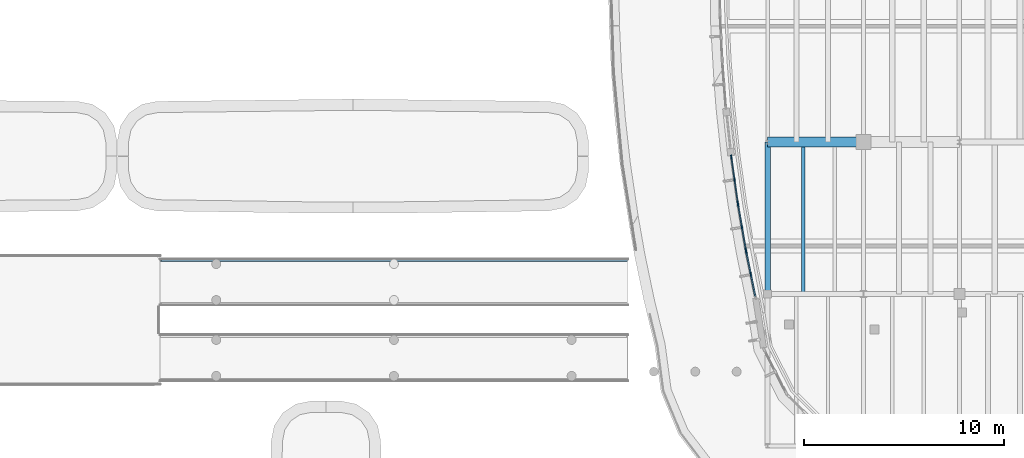
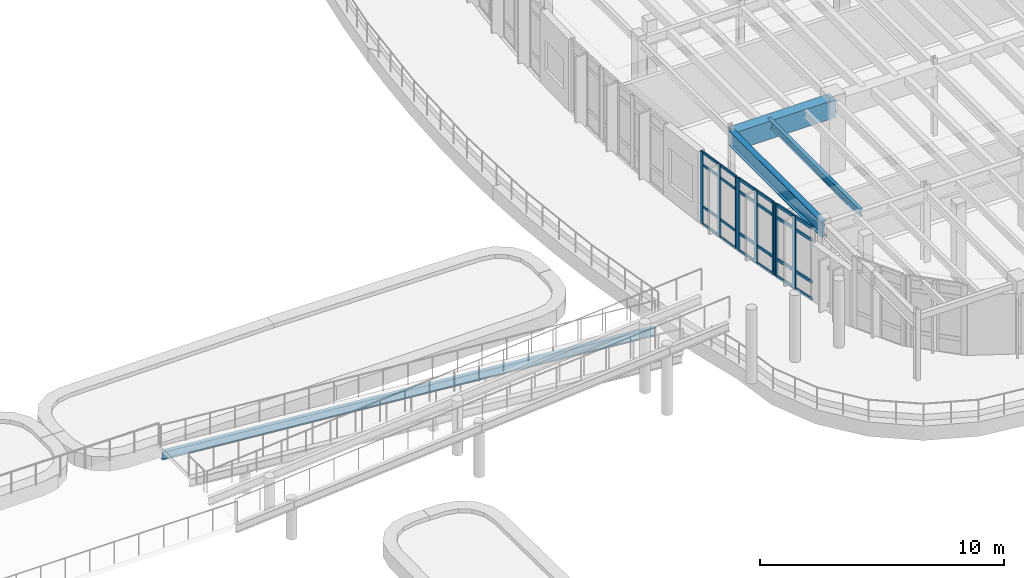
# One storey, part 45 of 111: 32 members, 4 beams, 3 elements without a shape of their own.
"""IFC4 building model written with IfcOpenShell, lengths in metres."""

from ifc_helpers import new_model, si_unit, direction, frame, origin, origin_2d, place, context, subcontext, project, spatial, rectangle, i_section, extrude, material, material_profile, profile_set, type_object, element, aggregate, save


model = new_model("IFC4")

# Units and contexts
model_context = context("Model", 3, precision=1e-05, world=origin(), true_north=direction((0.0, 1.0)))
body_context = subcontext(model_context, "Body", "Model", "MODEL_VIEW")
ifc_project = project(units=[si_unit("LENGTHUNIT", "METRE"), si_unit("AREAUNIT", "SQUARE_METRE"), si_unit("VOLUMEUNIT", "CUBIC_METRE"), si_unit("PLANEANGLEUNIT", "RADIAN"), si_unit("MASSUNIT", "GRAM", prefix="KILO")], contexts=[model_context])

# Site, building, storey
site_placement = place(None, origin())
site = spatial("IfcSite", under=ifc_project, at=site_placement, CompositionType="ELEMENT")
building_placement = place(site_placement, origin())
building = spatial("IfcBuilding", under=site, at=building_placement, Name="Corveleigh Park Community Centre", CompositionType="ELEMENT")
storey_placement = place(building_placement, frame((0.0, 0.0, 4.800048828125)))
storey = spatial("IfcBuildingStorey", under=building, at=storey_placement, Name="L01", CompositionType="ELEMENT", Elevation=4.800048828125)

# Beams
ifc_material_1 = material(Name="Concrete C40/50", Category="concrete")
ifc_material_profile_1 = material_profile(ifc_material_1, rectangle(XDim=0.5, YDim=0.89990234375, at=origin_2d()), Name="RC-500x900", Category="concrete")
ifc_profile_set_1 = profile_set([ifc_material_profile_1], Name="Concrete C40/50")
beam_type_1 = type_object("IfcBeamType", Name="BM-RC-500x900", PredefinedType="BEAM", material=ifc_profile_set_1)
beam_1_placement = place(storey_placement, frame((134.60498046875, 73.800048828125, 3.161865234375), z_axis=(1.0, 0.0, 0.0), x_axis=(0.0, 1.0, 0.0)))
element("IfcBeam", 1, at=beam_1_placement, inside=storey, type_object=beam_type_1, Name="V4 Girder X", PredefinedType="BEAM", context=body_context, shape_type="SweptSolid", body=[
    extrude(rectangle(XDim=0.5, YDim=0.89990234375, at=origin_2d()), origin(), (0.0, 0.0, 1.0), 4.7900390625),
])
ifc_material_2 = material(Name="Steel S355", Category="steel")
ifc_material_profile_2 = material_profile(ifc_material_2, i_section(OverallWidth=0.17138671875, OverallDepth=0.35498046875, WebThickness=0.00732421875, FlangeThickness=0.011474609375, at=origin_2d()), Name="UKB 356x171x51", Category="steel")
ifc_profile_set_2 = profile_set([ifc_material_profile_2], Name="Steel S355")
beam_type_2 = type_object("IfcBeamType", Name="BM-STL-UKB356x51", PredefinedType="JOIST", material=ifc_profile_set_2)
beam_2_placement = place(storey_placement, frame((136.3759765625, 66.205078125, 3.4345703125), z_axis=(0.0, 1.0, 0.0), x_axis=(-1.0, 0.0, 0.0)))
element("IfcBeam", 2, at=beam_2_placement, inside=storey, type_object=beam_type_2, Name="Secondary floor joist", PredefinedType="JOIST", context=body_context, shape_type="SweptSolid", body=[
    extrude(i_section(OverallWidth=0.17138671875, OverallDepth=0.35498046875, WebThickness=0.00732421875, FlangeThickness=0.011474609375, at=origin_2d()), origin(), (0.0, 0.0, 1.0), 7.58984375),
])
ifc_material_profile_3 = material_profile(ifc_material_2, i_section(OverallWidth=0.1787109375, OverallDepth=0.409423828125, WebThickness=0.0087890625, FlangeThickness=0.014404296875, at=origin_2d()), Name="UKB 406x178x67", Category="steel")
ifc_profile_set_3 = profile_set([ifc_material_profile_3], Name="Steel S355")
beam_type_3 = type_object("IfcBeamType", Name="BM-STL-UKB406x67", PredefinedType="BEAM", material=ifc_profile_set_3)
beam_3_placement = place(storey_placement, frame((127.56005859375, 67.919921875, -0.413330078125), z_axis=(-0.996545686293, 0.0, 0.083046343271), x_axis=(0.0, -1.0, 0.0)))
element("IfcBeam", 3, at=beam_3_placement, inside=storey, type_object=beam_type_3, Name="Courtyard West Roof Promenade Ramp Lower Stringer R", PredefinedType="BEAM", context=body_context, shape_type="SweptSolid", body=[
    extrude(i_section(OverallWidth=0.1787109375, OverallDepth=0.409423828125, WebThickness=0.0087890625, FlangeThickness=0.014404296875, at=origin_2d()), origin(), (0.0, 0.0, 1.0), 23.40087890625),
])
ifc_material_profile_4 = material_profile(ifc_material_2, i_section(OverallWidth=0.2666015625, OverallDepth=0.76220703125, WebThickness=0.014404296875, FlangeThickness=0.021484375, at=origin_2d()), Name="UKB 762x267x173", Category="steel")
ifc_profile_set_4 = profile_set([ifc_material_profile_4], Name="Steel S355")
beam_type_4 = type_object("IfcBeamType", Name="BM-STL-UKB762x173", PredefinedType="BEAM", material=ifc_profile_set_4)
beam_4_placement = place(storey_placement, frame((134.60009765625, 66.205078125, 3.255859375), z_axis=(0.0, 1.0, 0.0), x_axis=(-1.0, 0.0, 0.0)))
element("IfcBeam", 4, at=beam_4_placement, inside=storey, type_object=beam_type_4, Name="V4 Girder Y", PredefinedType="BEAM", context=body_context, shape_type="SweptSolid", body=[
    extrude(i_section(OverallWidth=0.2666015625, OverallDepth=0.76220703125, WebThickness=0.014404296875, FlangeThickness=0.021484375, at=origin_2d()), origin(), (0.0, 0.0, 1.0), 7.58984375),
])

# Curtain wall, members
ifc_material_3 = material(Name="Anodised aluminium 6063-T6", Category="aluminium")
curtain_wall_type = type_object("IfcCurtainWallType", Name="CW-SYS-V4-L01", PredefinedType="NOTDEFINED", material=ifc_material_3)
curtain_wall_1_placement = place(storey_placement, origin())
curtain_wall_1 = element("IfcCurtainWall", 5, at=curtain_wall_1_placement, inside=storey, type_object=curtain_wall_type, Name="V4 L01 Curtain Wall 296", PredefinedType="NOTDEFINED")
ifc_material_profile_5 = material_profile(ifc_material_3, rectangle(XDim=0.06494140625, YDim=0.179931640625, at=origin_2d()), Name="ALU-M65x180", Category="aluminium")
ifc_profile_set_5 = profile_set([ifc_material_profile_5], Name="Anodised aluminium 6063-T6")
member_type_1 = type_object("IfcMemberType", Name="CWM-65x180", PredefinedType="MULLION", material=ifc_profile_set_5)
member_1_placement = place(storey_placement, frame((133.10546875, 70.76611328125, 0.0), z_axis=(0.0, 0.0, 1.0), x_axis=(-0.990281834984, -0.139075113882, 0.0)))
member_1 = element("IfcMember", 6, at=member_1_placement, type_object=member_type_1, Name="CW08 mullion 1", PredefinedType="MULLION", context=body_context, shape_type="SweptSolid", body=[
    extrude(rectangle(XDim=0.06494140625, YDim=0.179931640625, at=origin_2d()), origin(), (0.0, 0.0, 1.0), 3.636962890625),
])
member_2_placement = place(storey_placement, frame((132.944091796875, 71.916015625, 0.0), z_axis=(0.0, 0.0, 1.0), x_axis=(-0.990281834984, -0.139075113882, 0.0)))
member_2 = element("IfcMember", 7, at=member_2_placement, type_object=member_type_1, Name="CW08 mullion 2", PredefinedType="MULLION", context=body_context, shape_type="SweptSolid", body=[
    extrude(rectangle(XDim=0.06494140625, YDim=0.179931640625, at=origin_2d()), origin(), (0.0, 0.0, 1.0), 3.636962890625),
])
member_3_placement = place(storey_placement, frame((132.782470703125, 73.06591796875, 0.0), z_axis=(0.0, 0.0, 1.0), x_axis=(-0.990281834984, -0.139075113882, 0.0)))
member_3 = element("IfcMember", 8, at=member_3_placement, type_object=member_type_1, Name="CW08 mullion 3", PredefinedType="MULLION", context=body_context, shape_type="SweptSolid", body=[
    extrude(rectangle(XDim=0.06494140625, YDim=0.179931640625, at=origin_2d()), origin(), (0.0, 0.0, 1.0), 3.636962890625),
])

curtain_wall_2_placement = place(storey_placement, origin())
curtain_wall_2 = element("IfcCurtainWall", 9, at=curtain_wall_2_placement, inside=storey, type_object=curtain_wall_type, Name="V4 L01 Curtain Wall 297", PredefinedType="NOTDEFINED")
ifc_material_profile_6 = material_profile(ifc_material_3, rectangle(XDim=0.070068359375, YDim=0.199951171875, at=origin_2d()), Name="ALU-M70x200", Category="aluminium")
ifc_profile_set_6 = profile_set([ifc_material_profile_6], Name="Anodised aluminium 6063-T6")
member_type_2 = type_object("IfcMemberType", Name="CWM-70x200", PredefinedType="MULLION", material=ifc_profile_set_6)
member_4_placement = place(storey_placement, frame((133.510986328125, 68.3994140625, 0.0), z_axis=(0.0, 0.0, 1.0), x_axis=(-0.985554357724, -0.16935940473, 0.0)))
member_4 = element("IfcMember", 10, at=member_4_placement, type_object=member_type_2, Name="CW08 mullion 1", PredefinedType="MULLION", context=body_context, shape_type="SweptSolid", body=[
    extrude(rectangle(XDim=0.070068359375, YDim=0.199951171875, at=origin_2d()), origin(), (0.0, 0.0, 1.0), 3.636962890625),
])
member_5_placement = place(storey_placement, frame((133.31494140625, 69.54052734375, 0.0), z_axis=(0.0, 0.0, 1.0), x_axis=(-0.985554357724, -0.16935940473, 0.0)))
member_5 = element("IfcMember", 11, at=member_5_placement, type_object=member_type_2, Name="CW08 mullion 2", PredefinedType="MULLION", context=body_context, shape_type="SweptSolid", body=[
    extrude(rectangle(XDim=0.070068359375, YDim=0.199951171875, at=origin_2d()), origin(), (0.0, 0.0, 1.0), 3.636962890625),
])
member_6_placement = place(storey_placement, frame((133.118896484375, 70.681396484375, 0.0), z_axis=(0.0, 0.0, 1.0), x_axis=(-0.985554357724, -0.16935940473, 0.0)))
member_6 = element("IfcMember", 12, at=member_6_placement, type_object=member_type_2, Name="CW08 mullion 3", PredefinedType="MULLION", context=body_context, shape_type="SweptSolid", body=[
    extrude(rectangle(XDim=0.070068359375, YDim=0.199951171875, at=origin_2d()), origin(), (0.0, 0.0, 1.0), 3.636962890625),
])

curtain_wall_3_placement = place(storey_placement, origin())
curtain_wall_3 = element("IfcCurtainWall", 13, at=curtain_wall_3_placement, inside=storey, type_object=curtain_wall_type, Name="V4 L01 Curtain Wall 298", PredefinedType="NOTDEFINED")
ifc_material_profile_7 = material_profile(ifc_material_3, rectangle(XDim=0.074951171875, YDim=0.219970703125, at=origin_2d()), Name="ALU-M75x220", Category="aluminium")
ifc_profile_set_7 = profile_set([ifc_material_profile_7], Name="Anodised aluminium 6063-T6")
member_type_3 = type_object("IfcMemberType", Name="CWM-75x220", PredefinedType="MULLION", material=ifc_profile_set_7)
member_7_placement = place(storey_placement, frame((133.759521484375, 67.178466796875, 0.0), z_axis=(0.0, 0.0, 1.0), x_axis=(-0.979799029422, -0.19998465427, 0.0)))
member_7 = element("IfcMember", 14, at=member_7_placement, type_object=member_type_3, Name="CW08 mullion 2", PredefinedType="MULLION", context=body_context, shape_type="SweptSolid", body=[
    extrude(rectangle(XDim=0.074951171875, YDim=0.219970703125, at=origin_2d()), origin(), (0.0, 0.0, 1.0), 3.636962890625),
])
member_8_placement = place(storey_placement, frame((133.528564453125, 68.310302734375, 0.0), z_axis=(0.0, 0.0, 1.0), x_axis=(-0.979799029422, -0.19998465427, 0.0)))
member_8 = element("IfcMember", 15, at=member_8_placement, type_object=member_type_3, Name="CW08 mullion 3", PredefinedType="MULLION", context=body_context, shape_type="SweptSolid", body=[
    extrude(rectangle(XDim=0.074951171875, YDim=0.219970703125, at=origin_2d()), origin(), (0.0, 0.0, 1.0), 3.636962890625),
])

# Member
ifc_material_profile_8 = material_profile(ifc_material_3, rectangle(XDim=0.06005859375, YDim=0.1201171875, at=origin_2d()), Name="ALU-T60x120", Category="aluminium")
ifc_profile_set_8 = profile_set([ifc_material_profile_8], Name="Anodised aluminium 6063-T6")
member_type_4 = type_object("IfcMemberType", Name="CWT-60x120", PredefinedType="USERDEFINED", material=ifc_profile_set_8)
member_9_placement = place(storey_placement, frame((133.10107421875, 70.79833984375, 0.030029296875), z_axis=(-0.13920705359, 0.990263296417, 0.0), x_axis=(-0.990263296417, -0.13920705359, 0.0)))
member_9 = element("IfcMember", 16, at=member_9_placement, type_object=member_type_4, Name="CW08 transom 1.1", ObjectType="TRANSOM", PredefinedType="USERDEFINED", context=body_context, shape_type="SweptSolid", body=[
    extrude(rectangle(XDim=0.06005859375, YDim=0.1201171875, at=origin_2d()), origin(), (0.0, 0.0, 1.0), 1.09619140625),
])

member_10_placement = place(storey_placement, frame((133.10107421875, 70.79833984375, 0.89990234375), z_axis=(-0.13920705359, 0.990263296417, 0.0), x_axis=(-0.990263296417, -0.13920705359, 0.0)))
member_10 = element("IfcMember", 17, at=member_10_placement, type_object=member_type_4, Name="CW08 transom 1.2", ObjectType="TRANSOM", PredefinedType="USERDEFINED", context=body_context, shape_type="SweptSolid", body=[
    extrude(rectangle(XDim=0.06005859375, YDim=0.1201171875, at=origin_2d()), origin(), (0.0, 0.0, 1.0), 1.09619140625),
])

member_11_placement = place(storey_placement, frame((133.10107421875, 70.79833984375, 2.987060546875), z_axis=(-0.13920705359, 0.990263296417, 0.0), x_axis=(-0.990263296417, -0.13920705359, 0.0)))
member_11 = element("IfcMember", 18, at=member_11_placement, type_object=member_type_4, Name="CW08 transom 1.3", ObjectType="TRANSOM", PredefinedType="USERDEFINED", context=body_context, shape_type="SweptSolid", body=[
    extrude(rectangle(XDim=0.06005859375, YDim=0.1201171875, at=origin_2d()), origin(), (0.0, 0.0, 1.0), 1.09619140625),
])

member_12_placement = place(storey_placement, frame((133.10107421875, 70.79833984375, 3.60693359375), z_axis=(-0.13920705359, 0.990263296417, 0.0), x_axis=(-0.990263296417, -0.13920705359, 0.0)))
member_12 = element("IfcMember", 19, at=member_12_placement, type_object=member_type_4, Name="CW08 transom 1.4", ObjectType="TRANSOM", PredefinedType="USERDEFINED", context=body_context, shape_type="SweptSolid", body=[
    extrude(rectangle(XDim=0.06005859375, YDim=0.1201171875, at=origin_2d()), origin(), (0.0, 0.0, 1.0), 1.09619140625),
])

member_13_placement = place(storey_placement, frame((132.939453125, 71.9482421875, 0.030029296875), z_axis=(-0.138988628372, 0.990293977152, 0.0), x_axis=(-0.990293977152, -0.138988628372, 0.0)))
member_13 = element("IfcMember", 20, at=member_13_placement, type_object=member_type_4, Name="CW08 transom 2.1", ObjectType="TRANSOM", PredefinedType="USERDEFINED", context=body_context, shape_type="SweptSolid", body=[
    extrude(rectangle(XDim=0.06005859375, YDim=0.1201171875, at=origin_2d()), origin(), (0.0, 0.0, 1.0), 1.09619140625),
])

member_14_placement = place(storey_placement, frame((132.939453125, 71.9482421875, 0.89990234375), z_axis=(-0.138988628372, 0.990293977152, 0.0), x_axis=(-0.990293977152, -0.138988628372, 0.0)))
member_14 = element("IfcMember", 21, at=member_14_placement, type_object=member_type_4, Name="CW08 transom 2.2", ObjectType="TRANSOM", PredefinedType="USERDEFINED", context=body_context, shape_type="SweptSolid", body=[
    extrude(rectangle(XDim=0.06005859375, YDim=0.1201171875, at=origin_2d()), origin(), (0.0, 0.0, 1.0), 1.09619140625),
])

member_15_placement = place(storey_placement, frame((132.939453125, 71.9482421875, 2.987060546875), z_axis=(-0.138988628372, 0.990293977152, 0.0), x_axis=(-0.990293977152, -0.138988628372, 0.0)))
member_15 = element("IfcMember", 22, at=member_15_placement, type_object=member_type_4, Name="CW08 transom 2.3", ObjectType="TRANSOM", PredefinedType="USERDEFINED", context=body_context, shape_type="SweptSolid", body=[
    extrude(rectangle(XDim=0.06005859375, YDim=0.1201171875, at=origin_2d()), origin(), (0.0, 0.0, 1.0), 1.09619140625),
])

member_16_placement = place(storey_placement, frame((132.939453125, 71.9482421875, 3.60693359375), z_axis=(-0.138988628372, 0.990293977152, 0.0), x_axis=(-0.990293977152, -0.138988628372, 0.0)))
member_16 = element("IfcMember", 23, at=member_16_placement, type_object=member_type_4, Name="CW08 transom 2.4", ObjectType="TRANSOM", PredefinedType="USERDEFINED", context=body_context, shape_type="SweptSolid", body=[
    extrude(rectangle(XDim=0.06005859375, YDim=0.1201171875, at=origin_2d()), origin(), (0.0, 0.0, 1.0), 1.09619140625),
])

aggregate(curtain_wall_1, [member_1, member_2, member_3, member_9, member_10, member_11, member_12, member_13, member_14, member_15, member_16])

ifc_material_profile_9 = material_profile(ifc_material_3, rectangle(XDim=0.06494140625, YDim=0.139892578125, at=origin_2d()), Name="ALU-T65x140", Category="aluminium")
ifc_profile_set_9 = profile_set([ifc_material_profile_9], Name="Anodised aluminium 6063-T6")
member_type_5 = type_object("IfcMemberType", Name="CWT-65x140", PredefinedType="USERDEFINED", material=ifc_profile_set_9)
member_17_placement = place(storey_placement, frame((133.505126953125, 68.43408203125, 0.032470703125), z_axis=(-0.169237923055, 0.985575225642, 0.0), x_axis=(-0.985575225642, -0.169237923055, 0.0)))
member_17 = element("IfcMember", 24, at=member_17_placement, type_object=member_type_5, Name="CW08 transom 1.1", ObjectType="TRANSOM", PredefinedType="USERDEFINED", context=body_context, shape_type="SweptSolid", body=[
    extrude(rectangle(XDim=0.06494140625, YDim=0.139892578125, at=origin_2d()), origin(), (0.0, 0.0, 1.0), 1.087646484375),
])

member_18_placement = place(storey_placement, frame((133.505126953125, 68.43408203125, 0.89990234375), z_axis=(-0.169237923055, 0.985575225642, 0.0), x_axis=(-0.985575225642, -0.169237923055, 0.0)))
member_18 = element("IfcMember", 25, at=member_18_placement, type_object=member_type_5, Name="CW08 transom 1.2", ObjectType="TRANSOM", PredefinedType="USERDEFINED", context=body_context, shape_type="SweptSolid", body=[
    extrude(rectangle(XDim=0.06494140625, YDim=0.139892578125, at=origin_2d()), origin(), (0.0, 0.0, 1.0), 1.087646484375),
])

member_19_placement = place(storey_placement, frame((133.505126953125, 68.43408203125, 2.987060546875), z_axis=(-0.169237923055, 0.985575225642, 0.0), x_axis=(-0.985575225642, -0.169237923055, 0.0)))
member_19 = element("IfcMember", 26, at=member_19_placement, type_object=member_type_5, Name="CW08 transom 1.3", ObjectType="TRANSOM", PredefinedType="USERDEFINED", context=body_context, shape_type="SweptSolid", body=[
    extrude(rectangle(XDim=0.06494140625, YDim=0.139892578125, at=origin_2d()), origin(), (0.0, 0.0, 1.0), 1.087646484375),
])

member_20_placement = place(storey_placement, frame((133.505126953125, 68.43408203125, 3.6044921875), z_axis=(-0.169237923055, 0.985575225642, 0.0), x_axis=(-0.985575225642, -0.169237923055, 0.0)))
member_20 = element("IfcMember", 27, at=member_20_placement, type_object=member_type_5, Name="CW08 transom 1.4", ObjectType="TRANSOM", PredefinedType="USERDEFINED", context=body_context, shape_type="SweptSolid", body=[
    extrude(rectangle(XDim=0.06494140625, YDim=0.139892578125, at=origin_2d()), origin(), (0.0, 0.0, 1.0), 1.087646484375),
])

member_21_placement = place(storey_placement, frame((133.30908203125, 69.574951171875, 0.032470703125), z_axis=(-0.169455935428, 0.985537764851, 0.0), x_axis=(-0.985537764851, -0.169455935428, 0.0)))
member_21 = element("IfcMember", 28, at=member_21_placement, type_object=member_type_5, Name="CW08 transom 2.1", ObjectType="TRANSOM", PredefinedType="USERDEFINED", context=body_context, shape_type="SweptSolid", body=[
    extrude(rectangle(XDim=0.06494140625, YDim=0.139892578125, at=origin_2d()), origin(), (0.0, 0.0, 1.0), 1.087646484375),
])

member_22_placement = place(storey_placement, frame((133.30908203125, 69.574951171875, 0.89990234375), z_axis=(-0.169455935428, 0.985537764851, 0.0), x_axis=(-0.985537764851, -0.169455935428, 0.0)))
member_22 = element("IfcMember", 29, at=member_22_placement, type_object=member_type_5, Name="CW08 transom 2.2", ObjectType="TRANSOM", PredefinedType="USERDEFINED", context=body_context, shape_type="SweptSolid", body=[
    extrude(rectangle(XDim=0.06494140625, YDim=0.139892578125, at=origin_2d()), origin(), (0.0, 0.0, 1.0), 1.087646484375),
])

member_23_placement = place(storey_placement, frame((133.30908203125, 69.574951171875, 2.987060546875), z_axis=(-0.169455935428, 0.985537764851, 0.0), x_axis=(-0.985537764851, -0.169455935428, 0.0)))
member_23 = element("IfcMember", 30, at=member_23_placement, type_object=member_type_5, Name="CW08 transom 2.3", ObjectType="TRANSOM", PredefinedType="USERDEFINED", context=body_context, shape_type="SweptSolid", body=[
    extrude(rectangle(XDim=0.06494140625, YDim=0.139892578125, at=origin_2d()), origin(), (0.0, 0.0, 1.0), 1.087646484375),
])

member_24_placement = place(storey_placement, frame((133.30908203125, 69.574951171875, 3.6044921875), z_axis=(-0.169455935428, 0.985537764851, 0.0), x_axis=(-0.985537764851, -0.169455935428, 0.0)))
member_24 = element("IfcMember", 31, at=member_24_placement, type_object=member_type_5, Name="CW08 transom 2.4", ObjectType="TRANSOM", PredefinedType="USERDEFINED", context=body_context, shape_type="SweptSolid", body=[
    extrude(rectangle(XDim=0.06494140625, YDim=0.139892578125, at=origin_2d()), origin(), (0.0, 0.0, 1.0), 1.087646484375),
])

aggregate(curtain_wall_2, [member_4, member_5, member_6, member_17, member_18, member_19, member_20, member_21, member_22, member_23, member_24])

ifc_material_profile_10 = material_profile(ifc_material_3, rectangle(XDim=0.070068359375, YDim=0.155029296875, at=origin_2d()), Name="ALU-T70x155", Category="aluminium")
ifc_profile_set_10 = profile_set([ifc_material_profile_10], Name="Anodised aluminium 6063-T6")
member_type_6 = type_object("IfcMemberType", Name="CWT-70x155", PredefinedType="USERDEFINED", material=ifc_profile_set_10)
member_25_placement = place(storey_placement, frame((133.98291015625, 66.08349609375, 0.034912109375), z_axis=(-0.19980944428, 0.979834774835, 0.0), x_axis=(-0.979834774835, -0.19980944428, 0.0)))
member_25 = element("IfcMember", 32, at=member_25_placement, type_object=member_type_6, Name="CW08 transom 1.1", ObjectType="TRANSOM", PredefinedType="USERDEFINED", context=body_context, shape_type="SweptSolid", body=[
    extrude(rectangle(XDim=0.070068359375, YDim=0.155029296875, at=origin_2d()), origin(), (0.0, 0.0, 1.0), 1.080078125),
])

member_26_placement = place(storey_placement, frame((133.98291015625, 66.08349609375, 0.89990234375), z_axis=(-0.19980944428, 0.979834774835, 0.0), x_axis=(-0.979834774835, -0.19980944428, 0.0)))
member_26 = element("IfcMember", 33, at=member_26_placement, type_object=member_type_6, Name="CW08 transom 1.2", ObjectType="TRANSOM", PredefinedType="USERDEFINED", context=body_context, shape_type="SweptSolid", body=[
    extrude(rectangle(XDim=0.070068359375, YDim=0.155029296875, at=origin_2d()), origin(), (0.0, 0.0, 1.0), 1.080078125),
])

member_27_placement = place(storey_placement, frame((133.98291015625, 66.08349609375, 2.987060546875), z_axis=(-0.19980944428, 0.979834774835, 0.0), x_axis=(-0.979834774835, -0.19980944428, 0.0)))
member_27 = element("IfcMember", 34, at=member_27_placement, type_object=member_type_6, Name="CW08 transom 1.3", ObjectType="TRANSOM", PredefinedType="USERDEFINED", context=body_context, shape_type="SweptSolid", body=[
    extrude(rectangle(XDim=0.070068359375, YDim=0.155029296875, at=origin_2d()), origin(), (0.0, 0.0, 1.0), 1.080078125),
])

member_28_placement = place(storey_placement, frame((133.98291015625, 66.08349609375, 3.60205078125), z_axis=(-0.19980944428, 0.979834774835, 0.0), x_axis=(-0.979834774835, -0.19980944428, 0.0)))
member_28 = element("IfcMember", 35, at=member_28_placement, type_object=member_type_6, Name="CW08 transom 1.4", ObjectType="TRANSOM", PredefinedType="USERDEFINED", context=body_context, shape_type="SweptSolid", body=[
    extrude(rectangle(XDim=0.070068359375, YDim=0.155029296875, at=origin_2d()), origin(), (0.0, 0.0, 1.0), 1.080078125),
])

member_29_placement = place(storey_placement, frame((133.751953125, 67.21533203125, 0.034912109375), z_axis=(-0.200070740057, 0.979781454699, 0.0), x_axis=(-0.979781454699, -0.200070740057, 0.0)))
member_29 = element("IfcMember", 36, at=member_29_placement, type_object=member_type_6, Name="CW08 transom 2.1", ObjectType="TRANSOM", PredefinedType="USERDEFINED", context=body_context, shape_type="SweptSolid", body=[
    extrude(rectangle(XDim=0.070068359375, YDim=0.155029296875, at=origin_2d()), origin(), (0.0, 0.0, 1.0), 1.079833984375),
])

member_30_placement = place(storey_placement, frame((133.751953125, 67.21533203125, 0.89990234375), z_axis=(-0.200070740057, 0.979781454699, 0.0), x_axis=(-0.979781454699, -0.200070740057, 0.0)))
member_30 = element("IfcMember", 37, at=member_30_placement, type_object=member_type_6, Name="CW08 transom 2.2", ObjectType="TRANSOM", PredefinedType="USERDEFINED", context=body_context, shape_type="SweptSolid", body=[
    extrude(rectangle(XDim=0.070068359375, YDim=0.155029296875, at=origin_2d()), origin(), (0.0, 0.0, 1.0), 1.079833984375),
])

member_31_placement = place(storey_placement, frame((133.751953125, 67.21533203125, 2.987060546875), z_axis=(-0.200070740057, 0.979781454699, 0.0), x_axis=(-0.979781454699, -0.200070740057, 0.0)))
member_31 = element("IfcMember", 38, at=member_31_placement, type_object=member_type_6, Name="CW08 transom 2.3", ObjectType="TRANSOM", PredefinedType="USERDEFINED", context=body_context, shape_type="SweptSolid", body=[
    extrude(rectangle(XDim=0.070068359375, YDim=0.155029296875, at=origin_2d()), origin(), (0.0, 0.0, 1.0), 1.079833984375),
])

member_32_placement = place(storey_placement, frame((133.751953125, 67.21533203125, 3.60205078125), z_axis=(-0.200070740057, 0.979781454699, 0.0), x_axis=(-0.979781454699, -0.200070740057, 0.0)))
member_32 = element("IfcMember", 39, at=member_32_placement, type_object=member_type_6, Name="CW08 transom 2.4", ObjectType="TRANSOM", PredefinedType="USERDEFINED", context=body_context, shape_type="SweptSolid", body=[
    extrude(rectangle(XDim=0.070068359375, YDim=0.155029296875, at=origin_2d()), origin(), (0.0, 0.0, 1.0), 1.079833984375),
])

aggregate(curtain_wall_3, [member_7, member_8, member_25, member_26, member_27, member_28, member_29, member_30, member_31, member_32])

save(model, "model.ifc")
